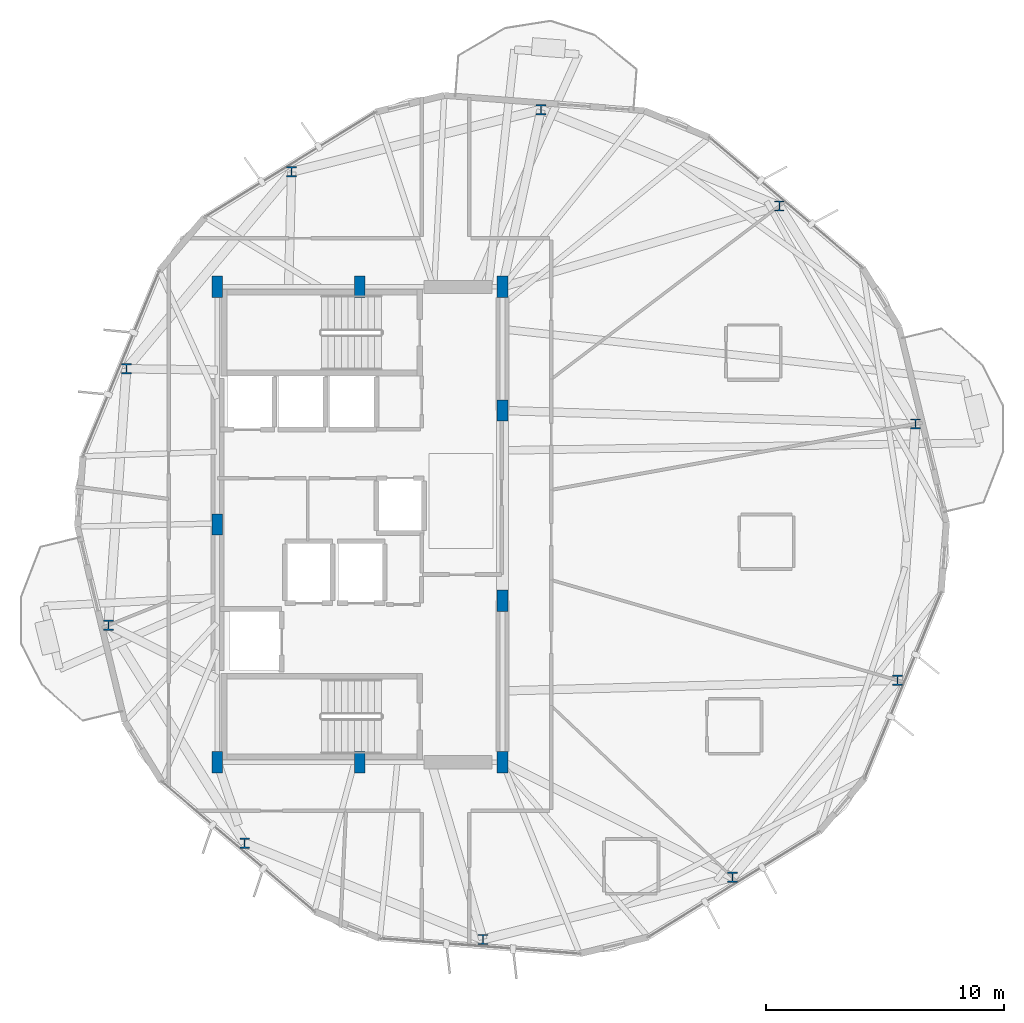
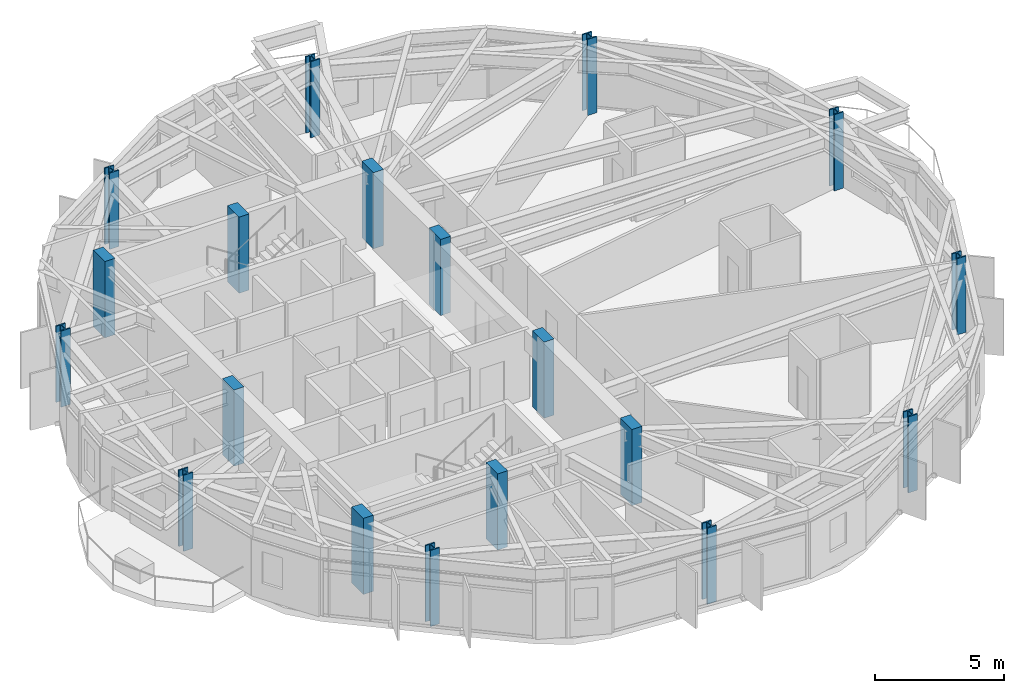
# One storey, part 1 of 21: 19 columns.
"""IFC4 building model written with IfcOpenShell, lengths in metres."""

from ifc_helpers import new_model, si_unit, direction, frame, origin, origin_2d, place, context, subcontext, project, spatial, rectangle, i_section, extrude, material, material_profile, profile_set, type_object, element, save


model = new_model("IFC4")

# Units and contexts
model_context = context("Model", 3, precision=1e-05, world=origin(), true_north=direction((0.0, 1.0)))
body_context = subcontext(model_context, "Body", "Model", "MODEL_VIEW")
ifc_project = project(units=[si_unit("LENGTHUNIT", "METRE"), si_unit("AREAUNIT", "SQUARE_METRE"), si_unit("VOLUMEUNIT", "CUBIC_METRE"), si_unit("PLANEANGLEUNIT", "RADIAN"), si_unit("MASSUNIT", "GRAM", prefix="KILO")], contexts=[model_context])

# Site, building, storey
site_placement = place(None, origin())
site = spatial("IfcSite", under=ifc_project, at=site_placement, CompositionType="ELEMENT")
building_placement = place(site_placement, origin())
building = spatial("IfcBuilding", under=site, at=building_placement, Name="Soratama Intermodal Tower", CompositionType="ELEMENT")
storey_placement = place(building_placement, frame((0.0, 0.0, 149.800048828125)))
storey = spatial("IfcBuildingStorey", under=building, at=storey_placement, Name="L36", CompositionType="ELEMENT", Elevation=149.800048828125)

# Columns
ifc_material_1 = material(Name="Structural steel ASTM A992 Grade 50", Category="steel")
ifc_material_profile_1 = material_profile(ifc_material_1, i_section(OverallWidth=0.412109375, OverallDepth=0.43505859375, WebThickness=0.035888671875, FlangeThickness=0.057373046875, FilletRadius=0.0380859375, at=origin_2d()), Name="W14X311")
ifc_profile_set_1 = profile_set([ifc_material_profile_1], Name="Structural steel ASTM A992 Grade 50")
column_type_1 = type_object("IfcColumnType", Name="COL-ZC-W14X311", PredefinedType="COLUMN", material=ifc_profile_set_1)
for number, where, z_axis, x_axis, name in (
    (1, (61.980224609375, 29.233642578125, 0.0), (0.0, 0.0, 1.0), (1.0, 0.0, 0.0), "L36 Tower Ring Column R01"),
    (2, (56.248779296875, 38.40576171875, 0.0), (0.0, 0.0, 1.0), (1.0, 0.0, 0.0), "L36 Tower Ring Column R02"),
    (3, (46.220703125, 42.45751953125, 0.0), (0.0, 0.0, 1.0), (1.0, 0.0, 0.0), "L36 Tower Ring Column R03"),
    (4, (35.726318359375, 39.8408203125, 0.0), (0.0, 0.0, 1.0), (1.0, 0.0, 0.0), "L36 Tower Ring Column R04"),
    (5, (28.7744140625, 31.5556640625, 0.0), (0.0, 0.0, 1.0), (1.0, 0.0, 0.0), "L36 Tower Ring Column R05"),
    (6, (28.019775390625, 20.766357421875, 0.0), (0.0, 0.0, 1.0), (1.0, 0.0, 0.0), "L36 Tower Ring Column R06"),
    (7, (33.751220703125, 11.59423828125, 0.0), (0.0, 0.0, 1.0), (1.0, 0.0, 0.0), "L36 Tower Ring Column R07"),
    (8, (43.779296875, 7.54248046875, 0.0), (0.0, 0.0, 1.0), (1.0, 0.0, 0.0), "L36 Tower Ring Column R08"),
    (9, (54.273681640625, 10.1591796875, 0.0), (0.0, 0.0, 1.0), (1.0, 0.0, 0.0), "L36 Tower Ring Column R09"),
    (10, (61.2255859375, 18.4443359375, 0.0), (0.0, 0.0, 1.0), (1.0, 0.0, 0.0), "L36 Tower Ring Column R10"),
):
    element("IfcColumn", number, at=place(storey_placement, frame(where, z_axis=z_axis, x_axis=x_axis)), inside=storey, type_object=column_type_1, Name=name, PredefinedType="COLUMN", context=body_context, shape_type="SweptSolid", body=[
        extrude(i_section(OverallWidth=0.412109375, OverallDepth=0.43505859375, WebThickness=0.035888671875, FlangeThickness=0.057373046875, FilletRadius=0.0380859375, at=origin_2d()), origin(), (0.0, 0.0, 1.0), 3.599853515625),
    ])
ifc_material_2 = material(Name="Concrete f'c 56 MPa", Category="concrete")
ifc_material_profile_2 = material_profile(ifc_material_2, rectangle(XDim=0.449951171875, YDim=0.89990234375, at=origin_2d()), Name="RC450X900")
ifc_profile_set_2 = profile_set([ifc_material_profile_2], Name="Concrete f'c 56 MPa")
column_type_2 = type_object("IfcColumnType", Name="PIL-CORE-450X900", PredefinedType="PILASTER", material=ifc_profile_set_2)
for number, where, z_axis, x_axis, name in (
    (11, (32.60009765625, 15.0, 0.0), (0.0, 0.0, 1.0), (1.0, 0.0, 0.0), "L36 Core Pilaster 1"),
    (12, (32.60009765625, 25.0, 0.0), (0.0, 0.0, 1.0), (1.0, 0.0, 0.0), "L36 Core Pilaster 2"),
    (13, (32.60009765625, 35.0, 0.0), (0.0, 0.0, 1.0), (1.0, 0.0, 0.0), "L36 Core Pilaster 3"),
    (14, (38.60009765625, 15.0, 0.0), (0.0, 0.0, 1.0), (1.0, 0.0, 0.0), "L36 Core Pilaster 4"),
    (15, (38.60009765625, 35.0, 0.0), (0.0, 0.0, 1.0), (1.0, 0.0, 0.0), "L36 Core Pilaster 5"),
    (16, (44.60009765625, 15.0, 0.0), (0.0, 0.0, 1.0), (1.0, 0.0, 0.0), "L36 Core Pilaster 6"),
    (17, (44.60009765625, 21.800048828125, 0.0), (0.0, 0.0, 1.0), (1.0, 0.0, 0.0), "L36 Core Pilaster 7"),
    (18, (44.60009765625, 29.800048828125, 0.0), (0.0, 0.0, 1.0), (1.0, 0.0, 0.0), "L36 Core Pilaster 8"),
    (19, (44.60009765625, 35.0, 0.0), (0.0, 0.0, 1.0), (1.0, 0.0, 0.0), "L36 Core Pilaster 9"),
):
    element("IfcColumn", number, at=place(storey_placement, frame(where, z_axis=z_axis, x_axis=x_axis)), inside=storey, type_object=column_type_2, Name=name, PredefinedType="PILASTER", context=body_context, shape_type="SweptSolid", body=[
        extrude(rectangle(XDim=0.449951171875, YDim=0.89990234375, at=origin_2d()), origin(), (0.0, 0.0, 1.0), 3.599853515625),
    ])

save(model, "model.ifc")
